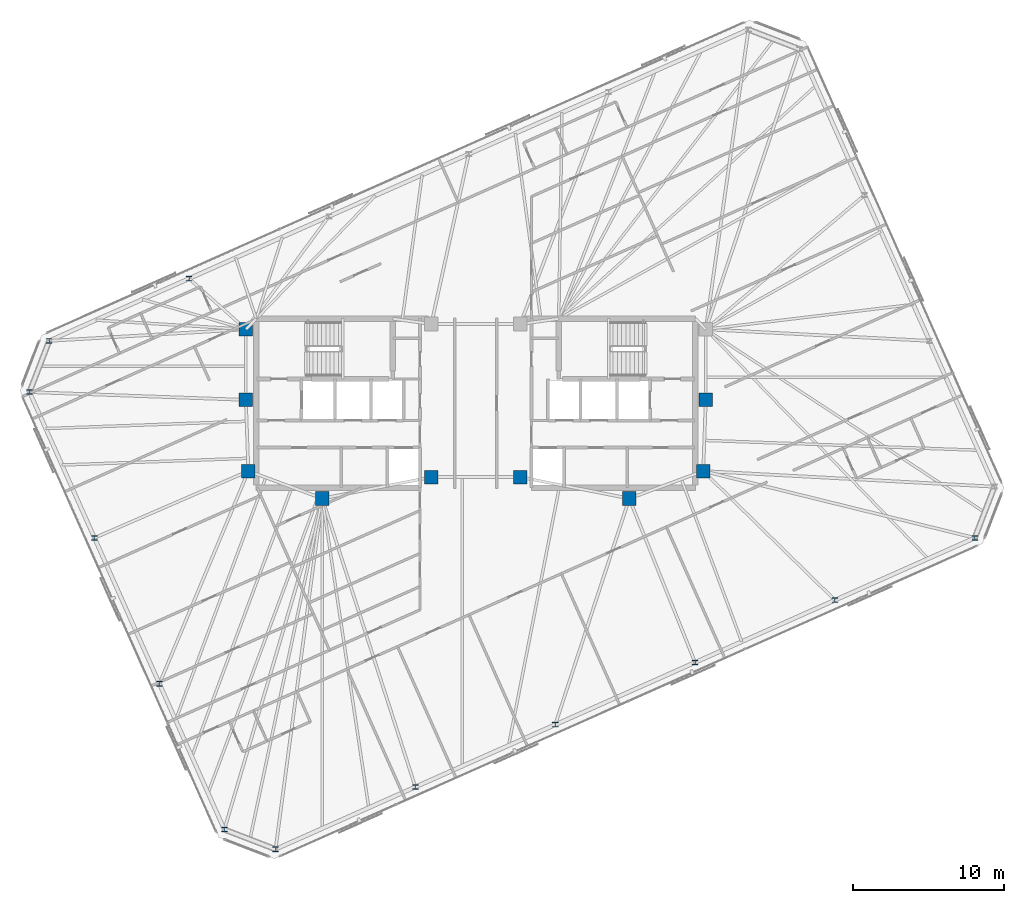
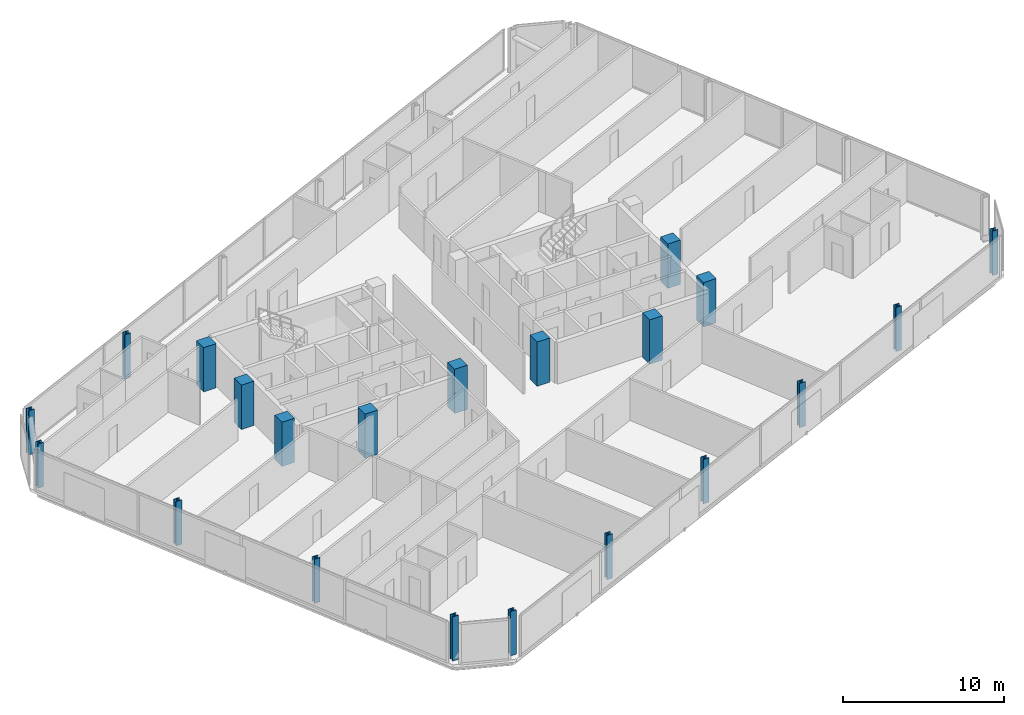
# One storey, part 1 of 19: 21 columns.
"""IFC4 building model written with IfcOpenShell, lengths in metres."""

from ifc_helpers import new_model, si_unit, direction, frame, origin, origin_2d, place, context, subcontext, project, spatial, rectangle, i_section, extrude, material, material_profile, profile_set, type_object, element, save


model = new_model("IFC4")

# Units and contexts
model_context = context("Model", 3, precision=1e-05, world=origin(), true_north=direction((0.0, 1.0)))
body_context = subcontext(model_context, "Body", "Model", "MODEL_VIEW")
ifc_project = project(units=[si_unit("LENGTHUNIT", "METRE"), si_unit("AREAUNIT", "SQUARE_METRE"), si_unit("VOLUMEUNIT", "CUBIC_METRE"), si_unit("PLANEANGLEUNIT", "RADIAN"), si_unit("MASSUNIT", "GRAM", prefix="KILO")], contexts=[model_context])

# Site, building, storey
site_placement = place(None, origin())
site = spatial("IfcSite", under=ifc_project, at=site_placement, CompositionType="ELEMENT")
building_placement = place(site_placement, origin())
building = spatial("IfcBuilding", under=site, at=building_placement, Name="Menara Jurai Vektor", CompositionType="ELEMENT")
storey_placement = place(building_placement, frame((0.0, 0.0, 262.199951171875)))
storey = spatial("IfcBuildingStorey", under=building, at=storey_placement, Name="L70", CompositionType="ELEMENT", Elevation=262.199951171875)

# Columns
ifc_material_1 = material(Name="Concrete C50/60", Category="concrete")
ifc_material_profile_1 = material_profile(ifc_material_1, rectangle(XDim=0.89990234375, YDim=0.89990234375, at=origin_2d()), Name="RC 900x900")
ifc_profile_set_1 = profile_set([ifc_material_profile_1], Name="Concrete C50/60")
column_type_1 = type_object("IfcColumnType", Name="STR-COL-RC900", PredefinedType="COLUMN", material=ifc_profile_set_1)
for number, where, z_axis, x_axis, name in (
    (1, (-15.25, 4.89990234375, 0.0), (0.0, 0.0, 1.0), (1.0, 0.0, 0.0), "Core Spine Column CW-NW L70"),
    (2, (-15.25, 0.219970703125, 0.0), (0.0, 0.0, 1.0), (1.0, 0.0, 0.0), "Core Spine Column CW-WM L70"),
    (3, (-15.080078125, -4.5, 0.0), (0.0, 0.0, 1.0), (1.0, 0.0, 0.0), "Core Spine Column CW-SW L70"),
    (4, (-10.179931640625, -6.320068359375, 0.0), (0.0, 0.0, 1.0), (1.0, 0.0, 0.0), "Core Spine Column CW-SM L70"),
    (5, (-2.949951171875, -4.89990234375, 0.0), (0.0, 0.0, 1.0), (1.0, 0.0, 0.0), "Core Spine Column CW-SE L70"),
    (6, (15.25, 0.219970703125, 0.0), (0.0, 0.0, 1.0), (1.0, 0.0, 0.0), "Core Spine Column CE-EM L70"),
    (7, (15.080078125, -4.5, 0.0), (0.0, 0.0, 1.0), (1.0, 0.0, 0.0), "Core Spine Column CE-SE L70"),
    (8, (10.179931640625, -6.320068359375, 0.0), (0.0, 0.0, 1.0), (1.0, 0.0, 0.0), "Core Spine Column CE-SM L70"),
    (9, (2.949951171875, -4.89990234375, 0.0), (0.0, 0.0, 1.0), (1.0, 0.0, 0.0), "Core Spine Column CE-SW L70"),
):
    element("IfcColumn", number, at=place(storey_placement, frame(where, z_axis=z_axis, x_axis=x_axis)), inside=storey, type_object=column_type_1, Name=name, PredefinedType="COLUMN", context=body_context, shape_type="SweptSolid", body=[
        extrude(rectangle(XDim=0.89990234375, YDim=0.89990234375, at=origin_2d()), origin(), (0.0, 0.0, 1.0), 3.35009765625),
    ])
ifc_material_2 = material(Name="Steel S460", Category="steel")
ifc_material_profile_2 = material_profile(ifc_material_2, i_section(OverallWidth=0.40087890625, OverallDepth=0.3349609375, WebThickness=0.035888671875, FlangeThickness=0.05810546875, FilletRadius=0.014892578125, at=origin_2d()), Name="HD 400x463")
ifc_profile_set_2 = profile_set([ifc_material_profile_2], Name="Steel S460")
column_type_2 = type_object("IfcColumnType", Name="STR-EXO-BLK5", PredefinedType="COLUMN", material=ifc_profile_set_2)
for number, where, z_axis, x_axis, name in (
    (10, (-13.279541015625, -29.576904296875, 0.0), (0.0, 0.0, 1.0), (1.0, 0.0, 0.0), "Exoskeleton Column BLK5-S1 L70"),
    (11, (-4.006103515625, -25.4482421875, 0.0), (0.0, 0.0, 1.0), (1.0, 0.0, 0.0), "Exoskeleton Column BLK5-S2 L70"),
    (12, (5.267578125, -21.3193359375, 0.0), (0.0, 0.0, 1.0), (1.0, 0.0, 0.0), "Exoskeleton Column BLK5-S3 L70"),
    (13, (14.541015625, -17.1904296875, 0.0), (0.0, 0.0, 1.0), (1.0, 0.0, 0.0), "Exoskeleton Column BLK5-S4 L70"),
    (14, (23.814453125, -13.061767578125, 0.0), (0.0, 0.0, 1.0), (1.0, 0.0, 0.0), "Exoskeleton Column BLK5-S5 L70"),
    (15, (33.088134765625, -8.932861328125, 0.0), (0.0, 0.0, 1.0), (1.0, 0.0, 0.0), "Exoskeleton Column BLK5-S6 L70"),
    (16, (-19.0146484375, 8.26171875, 0.0), (0.0, 0.0, 1.0), (1.0, 0.0, 0.0), "Exoskeleton Column BLK5-N5 L70"),
    (17, (-28.2880859375, 4.1328125, 0.0), (0.0, 0.0, 1.0), (1.0, 0.0, 0.0), "Exoskeleton Column BLK5-N6 L70"),
    (18, (-29.591796875, 0.73681640625, 0.0), (0.0, 0.0, 1.0), (1.0, 0.0, 0.0), "Exoskeleton Column BLK5-W1 L70"),
    (19, (-25.286376953125, -8.933349609375, 0.0), (0.0, 0.0, 1.0), (1.0, 0.0, 0.0), "Exoskeleton Column BLK5-W2 L70"),
    (20, (-20.98095703125, -18.603271484375, 0.0), (0.0, 0.0, 1.0), (1.0, 0.0, 0.0), "Exoskeleton Column BLK5-W3 L70"),
    (21, (-16.675537109375, -28.2734375, 0.0), (0.0, 0.0, 1.0), (1.0, 0.0, 0.0), "Exoskeleton Column BLK5-W4 L70"),
):
    element("IfcColumn", number, at=place(storey_placement, frame(where, z_axis=z_axis, x_axis=x_axis)), inside=storey, type_object=column_type_2, Name=name, PredefinedType="COLUMN", context=body_context, shape_type="SweptSolid", body=[
        extrude(i_section(OverallWidth=0.40087890625, OverallDepth=0.3349609375, WebThickness=0.035888671875, FlangeThickness=0.05810546875, FilletRadius=0.014892578125, at=origin_2d()), origin(), (0.0, 0.0, 1.0), 3.35009765625),
    ])

save(model, "model.ifc")
